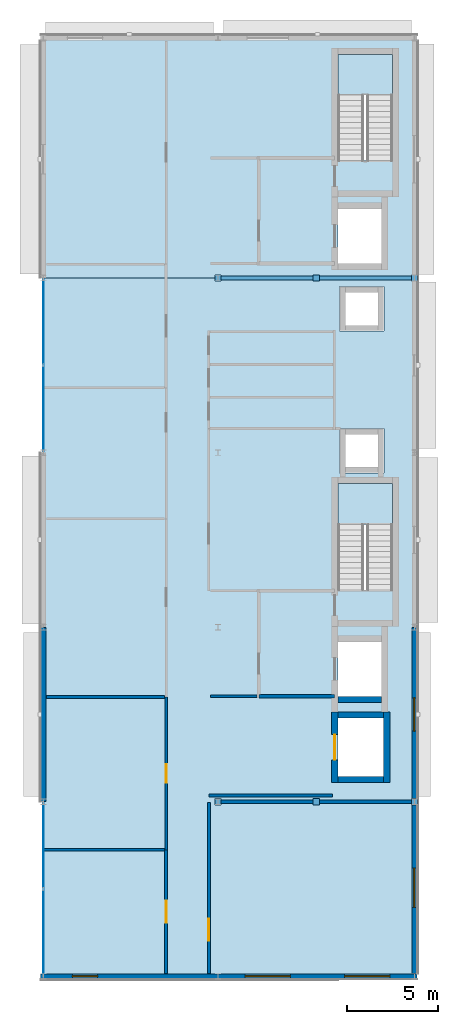
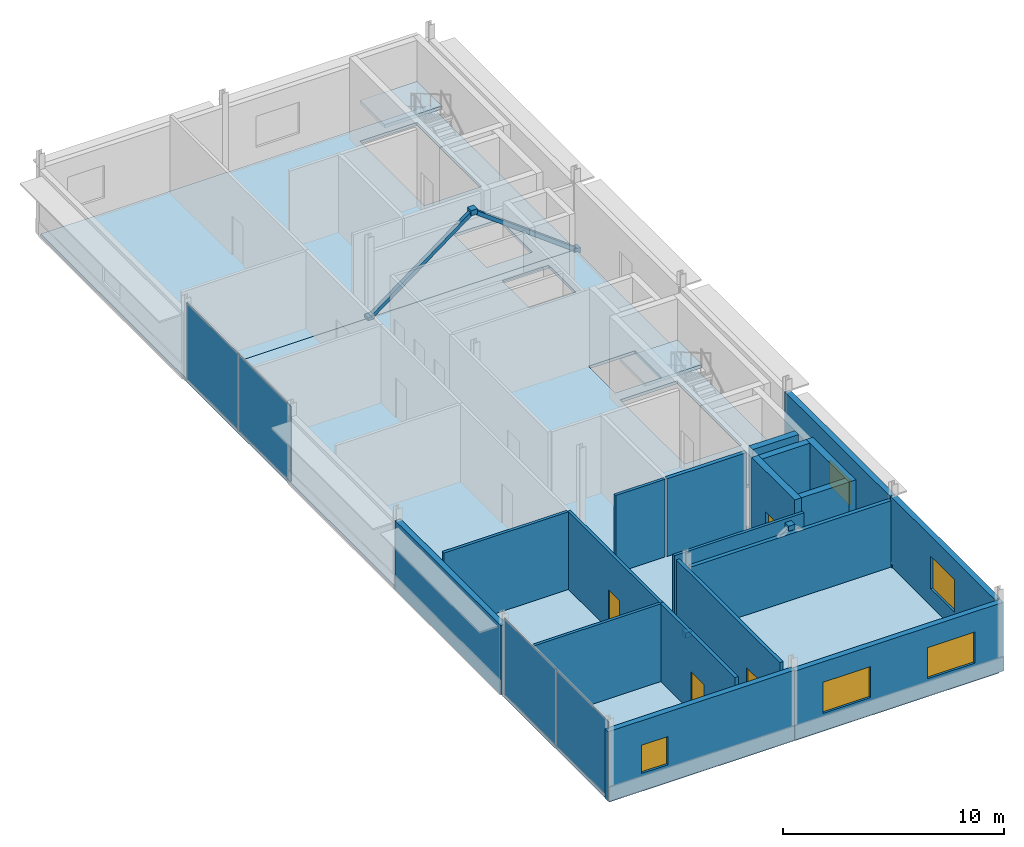
# One storey, part 6 of 10: 19 walls, 10 plates, 5 windows, 4 doors, 4 slabs, 2 members, 9 openings, 4 elements without a shape of their own.
"""IFC4 building model written with IfcOpenShell, lengths in metres."""

from ifc_helpers import new_model, si_unit, direction, frame, frame_2d, origin, origin_2d, place, context, subcontext, project, spatial, polyline, rectangle, hollow_rectangle, outline, extrude, material, layer, layer_set, material_profile, profile_set, type_object, element, fill, aggregate, save


model = new_model("IFC4")

# Units and contexts
model_context = context("Model", 3, precision=1e-05, world=origin(), true_north=direction((0.0, 1.0)))
body_context = subcontext(model_context, "Body", "Model", "MODEL_VIEW")
ifc_project = project(units=[si_unit("LENGTHUNIT", "METRE"), si_unit("AREAUNIT", "SQUARE_METRE"), si_unit("VOLUMEUNIT", "CUBIC_METRE"), si_unit("PLANEANGLEUNIT", "RADIAN"), si_unit("MASSUNIT", "GRAM", prefix="KILO")], contexts=[model_context])

# Site, building, storey
site_placement = place(None, origin())
site = spatial("IfcSite", under=ifc_project, at=site_placement, CompositionType="ELEMENT")
building_placement = place(site_placement, origin())
building = spatial("IfcBuilding", under=site, at=building_placement, Name="Almandine Court Research Institute", CompositionType="ELEMENT")
storey_placement = place(building_placement, frame((0.0, 0.0, 41.64990234375)))
storey = spatial("IfcBuildingStorey", under=building, at=storey_placement, Name="L09", CompositionType="ELEMENT", Elevation=41.64990234375)

# Members
ifc_material_1 = material(Name="Steel ASTM A500 Grade C", Category="steel")
ifc_material_profile = material_profile(ifc_material_1, hollow_rectangle(XDim=0.199951171875, YDim=0.199951171875, WallThickness=0.008056640625, at=origin_2d()), Name="HSS 200x200x8")
ifc_profile_set = profile_set([ifc_material_profile], Name="Steel ASTM A500 Grade C")
member_type = type_object("IfcMemberType", Name="Mem-BF-BR2", PredefinedType="BRACE", material=ifc_profile_set)
for number, where, z_axis, x_axis, name in (
    (1, (163.199951171875, 44.39990234375, 0.02001953125), (0.801428188232, 0.0, 0.598091012394), (0.0, 1.0, 0.0), "L09 Seismic Chevron Brace V4-BF2 Left"),
    (2, (174.0, 44.39990234375, 0.02001953125), (-0.801415226812, 0.0, 0.598108380007), (0.0, -1.0, 0.0), "L09 Seismic Chevron Brace V4-BF2 Right"),
):
    element("IfcMember", number, at=place(storey_placement, frame(where, z_axis=z_axis, x_axis=x_axis)), inside=storey, type_object=member_type, Name=name, PredefinedType="BRACE", context=body_context, shape_type="SweptSolid", body=[
        extrude(hollow_rectangle(XDim=0.199951171875, YDim=0.199951171875, WallThickness=0.008056640625, at=origin_2d()), origin(), (0.0, 0.0, 1.0), 6.738037109375),
    ])

# Curtain wall, plates
ifc_material_2 = material(Name="Unitised Curtain Wall Framing and Solar Glazing", Category="glass")
curtain_wall_type = type_object("IfcCurtainWallType", Name="CW-CWJ-11", PredefinedType="USERDEFINED", material=ifc_material_2)
curtain_wall_1_placement = place(storey_placement, origin())
curtain_wall_1 = element("IfcCurtainWall", 3, at=curtain_wall_1_placement, inside=storey, type_object=curtain_wall_type, Name="L09 Wet Lab West Courtyard Jali Curtain Wall 1", ObjectType="SOLAR JALI SCREEN", PredefinedType="USERDEFINED")
ifc_material_3 = material(Name="Perforated Ochre Terracotta Jali Solar Cassette", Category="masonry")
ifc_layer_1 = layer(ifc_material_3, 0.035888671875)
ifc_layer_set_1 = layer_set([ifc_layer_1], Name="Perforated Ochre Terracotta Jali Solar Cassette")
plate_type_1 = type_object("IfcPlateType", Name="CWPnl-JALI-36", PredefinedType="CURTAIN_PANEL", material=ifc_layer_set_1)
plate_1_placement = place(storey_placement, frame((153.60009765625, 8.418212890625, 0.06494140625), z_axis=(0.0, 0.0, 1.0), x_axis=(0.0, 1.0, 0.0)))
plate_1 = element("IfcPlate", 4, at=plate_1_placement, type_object=plate_type_1, Name="CWJ-11 panel 1.1", PredefinedType="CURTAIN_PANEL", context=body_context, shape_type="SweptSolid", body=[
    extrude(rectangle(XDim=4.698486328125, YDim=0.035888671875, at=origin_2d()), origin(), (0.0, 0.0, 1.0), 4.179931640625),
])
plate_2_placement = place(storey_placement, frame((153.60009765625, 13.181640625, 0.06494140625), z_axis=(0.0, 0.0, 1.0), x_axis=(0.0, 1.0, 0.0)))
plate_2 = element("IfcPlate", 5, at=plate_2_placement, type_object=plate_type_1, Name="CWJ-11 panel 2.1", PredefinedType="CURTAIN_PANEL", context=body_context, shape_type="SweptSolid", body=[
    extrude(rectangle(XDim=4.698486328125, YDim=0.035888671875, at=origin_2d()), origin(), (0.0, 0.0, 1.0), 4.179931640625),
])
aggregate(curtain_wall_1, [plate_1, plate_2])

curtain_wall_2_placement = place(storey_placement, origin())
curtain_wall_2 = element("IfcCurtainWall", 6, at=curtain_wall_2_placement, inside=storey, type_object=curtain_wall_type, Name="L09 Wet Lab West Courtyard Jali Curtain Wall 4", ObjectType="SOLAR JALI SCREEN", PredefinedType="USERDEFINED")
plate_3_placement = place(storey_placement, frame((153.60009765625, 37.21826171875, 0.06494140625), z_axis=(0.0, 0.0, 1.0), x_axis=(0.0, 1.0, 0.0)))
plate_3 = element("IfcPlate", 7, at=plate_3_placement, type_object=plate_type_1, Name="CWJ-11 panel 1.1", PredefinedType="CURTAIN_PANEL", context=body_context, shape_type="SweptSolid", body=[
    extrude(rectangle(XDim=4.698486328125, YDim=0.035888671875, at=origin_2d()), origin(), (0.0, 0.0, 1.0), 4.179931640625),
])
plate_4_placement = place(storey_placement, frame((153.60009765625, 41.981689453125, 0.06494140625), z_axis=(0.0, 0.0, 1.0), x_axis=(0.0, 1.0, 0.0)))
plate_4 = element("IfcPlate", 8, at=plate_4_placement, type_object=plate_type_1, Name="CWJ-11 panel 2.1", PredefinedType="CURTAIN_PANEL", context=body_context, shape_type="SweptSolid", body=[
    extrude(rectangle(XDim=4.698486328125, YDim=0.035888671875, at=origin_2d()), origin(), (0.0, 0.0, 1.0), 4.179931640625),
])
aggregate(curtain_wall_2, [plate_3, plate_4])

# Plates
ifc_material_4 = material(Name="Steel ASTM A36", Category="steel")
ifc_layer_2 = layer(ifc_material_4, 0.280029296875)
ifc_layer_set_2 = layer_set([ifc_layer_2], Name="Steel ASTM A36")
plate_type_2 = type_object("IfcPlateType", Name="Plate-NPI-03", PredefinedType="SHEET", material=ifc_layer_set_2)
for number, where, z_axis, x_axis, name in (
    (9, (163.199951171875, 15.60009765625, -0.1201171875), (0.0, 0.0, 1.0), (1.0, 0.0, 0.0), "L09 Seismic Brace Gusset Cap Plate V4-BF1-BL"),
    (10, (174.0, 15.60009765625, -0.1201171875), (0.0, 0.0, 1.0), (1.0, 0.0, 0.0), "L09 Seismic Brace Gusset Cap Plate V4-BF1-BR"),
    (11, (168.60009765625, 15.60009765625, 3.91015625), (0.0, 0.0, 1.0), (1.0, 0.0, 0.0), "L09 Seismic Brace Gusset Cap Plate V4-BF1-AP"),
    (12, (163.199951171875, 44.39990234375, -0.1201171875), (0.0, 0.0, 1.0), (1.0, 0.0, 0.0), "L09 Seismic Brace Gusset Cap Plate V4-BF2-BL"),
    (13, (174.0, 44.39990234375, -0.1201171875), (0.0, 0.0, 1.0), (1.0, 0.0, 0.0), "L09 Seismic Brace Gusset Cap Plate V4-BF2-BR"),
    (14, (168.60009765625, 44.39990234375, 3.91015625), (0.0, 0.0, 1.0), (1.0, 0.0, 0.0), "L09 Seismic Brace Gusset Cap Plate V4-BF2-AP"),
):
    element("IfcPlate", number, at=place(storey_placement, frame(where, z_axis=z_axis, x_axis=x_axis)), inside=storey, type_object=plate_type_2, Name=name, PredefinedType="SHEET", context=body_context, shape_type="SweptSolid", body=[
        extrude(rectangle(XDim=0.340087890625, YDim=0.340087890625, at=origin_2d()), origin(), (0.0, 0.0, 1.0), 0.280029296875),
    ])

# Slabs
ifc_material_5 = material(Name="Concrete C35/45", Category="concrete")
ifc_layer_3 = layer(ifc_material_5, 0.1650390625)
ifc_layer_set_3 = layer_set([ifc_layer_3], Name="Concrete C35/45")
slab_type_1 = type_object("IfcSlabType", Name="Slab-FLR-165", PredefinedType="FLOOR", material=ifc_layer_set_3)
slab_1_placement = place(storey_placement, frame((0.0, 0.0, -0.164794921875)))
element("IfcSlab", 15, at=slab_1_placement, inside=storey, type_object=slab_type_1, Name="L09 Volume 4 Wet Laboratory S Floor Slab", PredefinedType="FLOOR", context=body_context, shape_type="SweptSolid", body=[
    extrude(outline(polyline([(153.60009765625, 6.0), (174.0, 6.0), (174.0, 44.39990234375), (153.60009765625, 44.39990234375), (153.60009765625, 6.0)]), holes=[polyline([(172.800048828125, 27.25), (172.800048828125, 33.10009765625), (169.800048828125, 33.10009765625), (169.800048828125, 27.25), (172.800048828125, 27.25)]), polyline([(169.800048828125, 21.39990234375), (172.199951171875, 21.39990234375), (172.199951171875, 24.39990234375), (169.800048828125, 24.39990234375), (169.800048828125, 21.39990234375)]), polyline([(169.800048828125, 17.0), (172.300048828125, 17.0), (172.300048828125, 20.199951171875), (169.800048828125, 20.199951171875), (169.800048828125, 17.0)]), polyline([(169.8798828125, 33.679931640625), (172.320068359375, 33.679931640625), (172.320068359375, 36.1201171875), (169.8798828125, 36.1201171875), (169.8798828125, 33.679931640625)]), polyline([(169.8798828125, 41.47998046875), (172.320068359375, 41.47998046875), (172.320068359375, 43.919921875), (169.8798828125, 43.919921875), (169.8798828125, 41.47998046875)])]), origin(), (0.0, 0.0, 1.0), 0.164794921875),
])
slab_2_placement = place(storey_placement, frame((0.0, 0.0, -0.164794921875)))
element("IfcSlab", 16, at=slab_2_placement, inside=storey, type_object=slab_type_1, Name="L09 Volume 4 Wet Laboratory N Floor Slab", PredefinedType="FLOOR", context=body_context, shape_type="SweptSolid", body=[
    extrude(outline(polyline([(153.60009765625, 44.39990234375), (174.0, 44.39990234375), (174.0, 57.60009765625), (153.60009765625, 57.60009765625), (153.60009765625, 44.39990234375)]), holes=[polyline([(172.800048828125, 50.85009765625), (172.800048828125, 56.699951171875), (169.800048828125, 56.699951171875), (169.800048828125, 50.85009765625), (172.800048828125, 50.85009765625)]), polyline([(169.800048828125, 45.199951171875), (172.199951171875, 45.199951171875), (172.199951171875, 48.199951171875), (169.800048828125, 48.199951171875), (169.800048828125, 45.199951171875)])]), origin(), (0.0, 0.0, 1.0), 0.164794921875),
])

# Stair, slab
stair_type = type_object("IfcStairType", Name="Stair-Core-26R", PredefinedType="HALF_TURN_STAIR", material=ifc_material_5)
stair_1_placement = place(storey_placement, origin())
stair_1 = element("IfcStair", 17, at=stair_1_placement, inside=storey, type_object=stair_type, Name="L09 Wet Lab South High-Rise Core Stair", PredefinedType="HALF_TURN_STAIR")
ifc_layer_4 = layer(ifc_material_5, 0.179931640625)
ifc_layer_set_4 = layer_set([ifc_layer_4], Name="Concrete C35/45")
slab_type_2 = type_object("IfcSlabType", Name="Slab-Landing-180", PredefinedType="LANDING", material=ifc_layer_set_4)
slab_3_placement = place(storey_placement, frame((0.0, 0.0, 2.09521484375)))
slab_3 = element("IfcSlab", 18, at=slab_3_placement, type_object=slab_type_2, Name="ST-07 landing 1", PredefinedType="LANDING", context=body_context, shape_type="SweptSolid", body=[
    extrude(outline(polyline([(172.800048828125, 30.85009765625), (172.800048828125, 33.10009765625), (169.800048828125, 33.10009765625), (169.800048828125, 30.85009765625), (172.800048828125, 30.85009765625)])), origin(), (0.0, 0.0, 1.0), 0.179931640625),
])
aggregate(stair_1, [slab_3])

stair_2_placement = place(storey_placement, origin())
stair_2 = element("IfcStair", 19, at=stair_2_placement, inside=storey, type_object=stair_type, Name="L09 Wet Lab Central High-Rise Core Stair", PredefinedType="HALF_TURN_STAIR")
slab_4_placement = place(storey_placement, frame((0.0, 0.0, 2.09521484375)))
slab_4 = element("IfcSlab", 20, at=slab_4_placement, type_object=slab_type_2, Name="ST-08 landing 1", PredefinedType="LANDING", context=body_context, shape_type="SweptSolid", body=[
    extrude(outline(polyline([(172.800048828125, 54.449951171875), (172.800048828125, 56.699951171875), (169.800048828125, 56.699951171875), (169.800048828125, 54.449951171875), (172.800048828125, 54.449951171875)])), origin(), (0.0, 0.0, 1.0), 0.179931640625),
])
aggregate(stair_2, [slab_4])

# Wall
ifc_material_6 = material(Name="Insulated Ochre Terracotta Rainscreen Wall", Category="masonry")
ifc_layer_5 = layer(ifc_material_6, 0.2900390625)
ifc_layer_set_5 = layer_set([ifc_layer_5], Name="Insulated Ochre Terracotta Rainscreen Wall")
wall_type_1 = type_object("IfcWallType", Name="Wall-EXT-TERR-290", PredefinedType="SOLIDWALL", material=ifc_layer_set_5)
wall_1_placement = place(storey_placement, frame((153.60009765625, 15.60400390625, 0.0), z_axis=(0.0, 0.0, 1.0), x_axis=(0.0, 1.0, 0.0)))
element("IfcWall", 21, at=wall_1_placement, inside=storey, type_object=wall_type_1, Name="L09 Wet Lab West Facade Wall 2", PredefinedType="SOLIDWALL", context=body_context, shape_type="SweptSolid", body=[
    extrude(rectangle(XDim=9.592041015625, YDim=0.2900390625, at=frame_2d((4.7958984375, 0.0))), origin(), (0.0, 0.0, 1.0), 3.8310546875),
])

# Wall, opening, window
wall_2_placement = place(storey_placement, frame((174.0, 25.196044921875, 0.0), z_axis=(0.0, 0.0, 1.0), x_axis=(0.0, -1.0, 0.0)))
wall_2 = element("IfcWall", 22, at=wall_2_placement, inside=storey, type_object=wall_type_1, Name="L09 Wet Lab East Facade Wall 2", PredefinedType="SOLIDWALL", context=body_context, shape_type="SweptSolid", body=[
    extrude(rectangle(XDim=9.592041015625, YDim=0.2900390625, at=frame_2d((4.7958984375, 0.0))), origin(), (0.0, 0.0, 1.0), 3.822021484375),
])
opening_1_placement = place(wall_2_placement, frame((3.885986328125, 0.0, 0.949951171875)))
opening_1 = element("IfcOpeningElement", 23, at=opening_1_placement, cuts=wall_2, Name="Opening WN-09", PredefinedType="OPENING", context=body_context, shape_type="SweptSolid", body=[
    extrude(rectangle(XDim=1.820068359375, YDim=1.39990234375, at=frame_2d((0.91015625, 0.699951171875))), frame((0.0, 0.155029296875, 0.0), z_axis=(0.0, -1.0, 0.0), x_axis=(1.0, 0.0, 0.0)), (0.0, 0.0, 1.0), 0.31005859375),
])
ifc_material_7 = material(Name="Thermally Broken Low-E Double-Glazed Window", Category="glass")
window_type_1 = type_object("IfcWindowType", Name="Win-WN-09-1820x1400", PartitioningType="SINGLE_PANEL", PredefinedType="WINDOW", material=ifc_material_7)
window_1_placement = place(opening_1_placement, origin())
window_1 = element("IfcWindow", 24, at=window_1_placement, inside=storey, type_object=window_type_1, Name="L09 Modular Recessed Low-E Window 200", OverallHeight=1.39990234375, OverallWidth=1.820068359375, PartitioningType="SINGLE_PANEL", PredefinedType="WINDOW", context=body_context, shape_type="SweptSolid", body=[
    extrude(rectangle(XDim=1.820068359375, YDim=1.39990234375, at=frame_2d((0.91015625, 0.699951171875))), frame((0.0, 0.030029296875, 0.0), z_axis=(0.0, -1.0, 0.0), x_axis=(1.0, 0.0, 0.0)), (0.0, 0.0, 1.0), 0.06005859375),
])
fill(opening_1, window_1)

wall_3_placement = place(storey_placement, frame((174.0, 15.595947265625, 0.0), z_axis=(0.0, 0.0, 1.0), x_axis=(0.0, -1.0, 0.0)))
wall_3 = element("IfcWall", 25, at=wall_3_placement, inside=storey, type_object=wall_type_1, Name="L09 Wet Lab East Facade Wall 1", PredefinedType="SOLIDWALL", context=body_context, shape_type="SweptSolid", body=[
    extrude(rectangle(XDim=9.447021484375, YDim=0.2900390625, at=frame_2d((4.7236328125, 0.0))), origin(), (0.0, 0.0, 1.0), 3.864013671875),
])
opening_2_placement = place(wall_3_placement, frame((3.64794921875, 0.0, 0.949951171875)))
opening_2 = element("IfcOpeningElement", 26, at=opening_2_placement, cuts=wall_3, Name="Opening WN-10", PredefinedType="OPENING", context=body_context, shape_type="SweptSolid", body=[
    extrude(rectangle(XDim=2.14990234375, YDim=1.800048828125, at=frame_2d((1.074951171875, 0.89990234375))), frame((0.0, 0.155029296875, 0.0), z_axis=(0.0, -1.0, 0.0), x_axis=(1.0, 0.0, 0.0)), (0.0, 0.0, 1.0), 0.31005859375),
])
window_type_2 = type_object("IfcWindowType", Name="Win-WN-10-2150x1800", PartitioningType="SINGLE_PANEL", PredefinedType="WINDOW", material=ifc_material_7)
window_2_placement = place(opening_2_placement, origin())
window_2 = element("IfcWindow", 27, at=window_2_placement, inside=storey, type_object=window_type_2, Name="L09 Modular Recessed Low-E Window 201", OverallHeight=1.800048828125, OverallWidth=2.14990234375, PartitioningType="SINGLE_PANEL", PredefinedType="WINDOW", context=body_context, shape_type="SweptSolid", body=[
    extrude(rectangle(XDim=2.14990234375, YDim=1.800048828125, at=frame_2d((1.074951171875, 0.89990234375))), frame((0.0, 0.030029296875, 0.0), z_axis=(0.0, -1.0, 0.0), x_axis=(1.0, 0.0, 0.0)), (0.0, 0.0, 1.0), 0.06005859375),
])
fill(opening_2, window_2)

# Wall, openings, windows
wall_4_placement = place(storey_placement, frame((174.14501953125, 6.0, 0.0), z_axis=(0.0, 0.0, 1.0), x_axis=(-1.0, 0.0, 0.0)))
wall_4 = element("IfcWall", 28, at=wall_4_placement, inside=storey, type_object=wall_type_1, Name="L09 Wet Lab South Wall 1", PredefinedType="SOLIDWALL", context=body_context, shape_type="SweptSolid", body=[
    extrude(rectangle(XDim=10.94091796875, YDim=0.2900390625, at=frame_2d((5.470458984375, 0.0))), origin(), (0.0, 0.0, 1.0), 3.795166015625),
])
opening_3_placement = place(wall_4_placement, frame((1.4951171875, 0.0, 0.949951171875)))
opening_3 = element("IfcOpeningElement", 29, at=opening_3_placement, cuts=wall_4, Name="Opening WN-74", PredefinedType="OPENING", context=body_context, shape_type="SweptSolid", body=[
    extrude(rectangle(XDim=2.47998046875, YDim=1.719970703125, at=frame_2d((1.239990234375, 0.85986328125))), frame((0.0, 0.155029296875, 0.0), z_axis=(0.0, -1.0, 0.0), x_axis=(1.0, 0.0, 0.0)), (0.0, 0.0, 1.0), 0.31005859375),
])
opening_4_placement = place(wall_4_placement, frame((6.966064453125, 0.0, 0.949951171875)))
opening_4 = element("IfcOpeningElement", 30, at=opening_4_placement, cuts=wall_4, Name="Opening WN-74", PredefinedType="OPENING", context=body_context, shape_type="SweptSolid", body=[
    extrude(rectangle(XDim=2.47998046875, YDim=1.719970703125, at=frame_2d((1.239990234375, 0.85986328125))), frame((0.0, 0.155029296875, 0.0), z_axis=(0.0, -1.0, 0.0), x_axis=(1.0, 0.0, 0.0)), (0.0, 0.0, 1.0), 0.31005859375),
])
window_type_3 = type_object("IfcWindowType", Name="Win-WN-74-2480x1720", PartitioningType="SINGLE_PANEL", PredefinedType="WINDOW", material=ifc_material_7)
window_3_placement = place(opening_3_placement, origin())
window_3 = element("IfcWindow", 31, at=window_3_placement, inside=storey, type_object=window_type_3, Name="L09 Modular Recessed Low-E Window 202", OverallHeight=1.719970703125, OverallWidth=2.47998046875, PartitioningType="SINGLE_PANEL", PredefinedType="WINDOW", context=body_context, shape_type="SweptSolid", body=[
    extrude(rectangle(XDim=2.47998046875, YDim=1.719970703125, at=frame_2d((1.239990234375, 0.85986328125))), frame((0.0, 0.030029296875, 0.0), z_axis=(0.0, -1.0, 0.0), x_axis=(1.0, 0.0, 0.0)), (0.0, 0.0, 1.0), 0.06005859375),
])
fill(opening_3, window_3)
window_4_placement = place(opening_4_placement, origin())
window_4 = element("IfcWindow", 32, at=window_4_placement, inside=storey, type_object=window_type_3, Name="L09 Modular Recessed Low-E Window 203", OverallHeight=1.719970703125, OverallWidth=2.47998046875, PartitioningType="SINGLE_PANEL", PredefinedType="WINDOW", context=body_context, shape_type="SweptSolid", body=[
    extrude(rectangle(XDim=2.47998046875, YDim=1.719970703125, at=frame_2d((1.239990234375, 0.85986328125))), frame((0.0, 0.030029296875, 0.0), z_axis=(0.0, -1.0, 0.0), x_axis=(1.0, 0.0, 0.0)), (0.0, 0.0, 1.0), 0.06005859375),
])
fill(opening_4, window_4)

# Wall, opening, window
wall_5_placement = place(storey_placement, frame((163.196044921875, 6.0, 0.0), z_axis=(0.0, 0.0, 1.0), x_axis=(-1.0, 0.0, 0.0)))
wall_5 = element("IfcWall", 33, at=wall_5_placement, inside=storey, type_object=wall_type_1, Name="L09 Wet Lab South Wall 2", PredefinedType="SOLIDWALL", context=body_context, shape_type="SweptSolid", body=[
    extrude(rectangle(XDim=9.740966796875, YDim=0.2900390625, at=frame_2d((4.87060546875, 0.0))), origin(), (0.0, 0.0, 1.0), 3.864013671875),
])
opening_5_placement = place(wall_5_placement, frame((6.615966796875, 0.0, 0.949951171875)))
opening_5 = element("IfcOpeningElement", 34, at=opening_5_placement, cuts=wall_5, Name="Opening WN-75", PredefinedType="OPENING", context=body_context, shape_type="SweptSolid", body=[
    extrude(rectangle(XDim=1.3798828125, YDim=1.56005859375, at=frame_2d((0.68994140625, 0.780029296875))), frame((0.0, 0.155029296875, 0.0), z_axis=(0.0, -1.0, 0.0), x_axis=(1.0, 0.0, 0.0)), (0.0, 0.0, 1.0), 0.31005859375),
])
window_type_4 = type_object("IfcWindowType", Name="Win-WN-75-1380x1560", PartitioningType="SINGLE_PANEL", PredefinedType="WINDOW", material=ifc_material_7)
window_5_placement = place(opening_5_placement, origin())
window_5 = element("IfcWindow", 35, at=window_5_placement, inside=storey, type_object=window_type_4, Name="L09 Modular Recessed Low-E Window 204", OverallHeight=1.56005859375, OverallWidth=1.3798828125, PartitioningType="SINGLE_PANEL", PredefinedType="WINDOW", context=body_context, shape_type="SweptSolid", body=[
    extrude(rectangle(XDim=1.3798828125, YDim=1.56005859375, at=frame_2d((0.68994140625, 0.780029296875))), frame((0.0, 0.030029296875, 0.0), z_axis=(0.0, -1.0, 0.0), x_axis=(1.0, 0.0, 0.0)), (0.0, 0.0, 1.0), 0.06005859375),
])
fill(opening_5, window_5)

# Wall, opening, door
ifc_material_8 = material(Name="One-Hour Fire-Rated Laboratory Partition")
ifc_layer_6 = layer(ifc_material_8, 0.175048828125)
ifc_layer_set_6 = layer_set([ifc_layer_6], Name="One-Hour Fire-Rated Laboratory Partition")
wall_type_2 = type_object("IfcWallType", Name="Wall-FIRE-175", PredefinedType="PARTITIONING", material=ifc_layer_set_6)
wall_6_placement = place(storey_placement, frame((160.35009765625, 6.159912109375, 0.0), z_axis=(0.0, 0.0, 1.0), x_axis=(0.0, 1.0, 0.0)))
wall_6 = element("IfcWall", 36, at=wall_6_placement, inside=storey, type_object=wall_type_2, Name="L09 Interior Partition W-V4-L09-WW-0", PredefinedType="PARTITIONING", context=body_context, shape_type="SweptSolid", body=[
    extrude(rectangle(XDim=6.800048828125, YDim=0.175048828125, at=frame_2d((3.39990234375, 0.0))), origin(), (0.0, 0.0, 1.0), 4.300048828125),
])
opening_6_placement = place(wall_6_placement, frame((2.800048828125, 0.0, 0.0)))
opening_6 = element("IfcOpeningElement", 37, at=opening_6_placement, cuts=wall_6, Name="Opening FD-LAB", PredefinedType="OPENING", context=body_context, shape_type="SweptSolid", body=[
    extrude(rectangle(XDim=1.199951171875, YDim=2.199951171875, at=frame_2d((0.60009765625, 1.10009765625))), frame((0.0, 0.097412109375, 0.0), z_axis=(0.0, -1.0, 0.0), x_axis=(1.0, 0.0, 0.0)), (0.0, 0.0, 1.0), 0.195068359375),
])
ifc_material_9 = material(Name="Fire-Rated Laboratory Containment Door")
door_type_1 = type_object("IfcDoorType", Name="Door-FD-LAB-1200", OperationType="NOTDEFINED", PredefinedType="DOOR", material=ifc_material_9)
door_1_placement = place(opening_6_placement, origin())
door_1 = element("IfcDoor", 38, at=door_1_placement, inside=storey, type_object=door_type_1, Name="L09 Biosciences BSL-2 Laboratory Door", OperationType="SINGLE_SWING_RIGHT", OverallHeight=2.199951171875, OverallWidth=1.199951171875, PredefinedType="DOOR", context=body_context, shape_type="SweptSolid", body=[
    extrude(rectangle(XDim=1.199951171875, YDim=2.199951171875, at=frame_2d((0.60009765625, 1.10009765625))), frame((0.0, 0.02490234375, 0.0), z_axis=(0.0, -1.0, 0.0), x_axis=(1.0, 0.0, 0.0)), (0.0, 0.0, 1.0), 0.050048828125),
])
fill(opening_6, door_1)

wall_7_placement = place(storey_placement, frame((162.699951171875, 6.159912109375, 0.0), z_axis=(0.0, 0.0, 1.0), x_axis=(0.0, 1.0, 0.0)))
wall_7 = element("IfcWall", 39, at=wall_7_placement, inside=storey, type_object=wall_type_2, Name="L09 Interior Partition W-V4-L09-EW-S", PredefinedType="PARTITIONING", context=body_context, shape_type="SweptSolid", body=[
    extrude(rectangle(XDim=9.39013671875, YDim=0.175048828125, at=frame_2d((4.695068359375, 0.0))), origin(), (0.0, 0.0, 1.0), 4.300048828125),
])
opening_7_placement = place(wall_7_placement, frame((1.800048828125, 0.0, 0.0)))
opening_7 = element("IfcOpeningElement", 40, at=opening_7_placement, cuts=wall_7, Name="Opening FD-LAB", PredefinedType="OPENING", context=body_context, shape_type="SweptSolid", body=[
    extrude(rectangle(XDim=1.199951171875, YDim=2.199951171875, at=frame_2d((0.60009765625, 1.10009765625))), frame((0.0, 0.097412109375, 0.0), z_axis=(0.0, -1.0, 0.0), x_axis=(1.0, 0.0, 0.0)), (0.0, 0.0, 1.0), 0.195068359375),
])
door_2_placement = place(opening_7_placement, origin())
door_2 = element("IfcDoor", 41, at=door_2_placement, inside=storey, type_object=door_type_1, Name="L09 Analytical Lab Door", OperationType="SINGLE_SWING_LEFT", OverallHeight=2.199951171875, OverallWidth=1.199951171875, PredefinedType="DOOR", context=body_context, shape_type="SweptSolid", body=[
    extrude(rectangle(XDim=1.199951171875, YDim=2.199951171875, at=frame_2d((0.60009765625, 1.10009765625))), frame((0.0, 0.02490234375, 0.0), z_axis=(0.0, -1.0, 0.0), x_axis=(1.0, 0.0, 0.0)), (0.0, 0.0, 1.0), 0.050048828125),
])
fill(opening_7, door_2)

# Walls
ifc_material_10 = material(Name="Two-Hour Fire-Barrier Enclosure Wall")
ifc_layer_7 = layer(ifc_material_10, 0.199951171875)
ifc_layer_set_7 = layer_set([ifc_layer_7], Name="Two-Hour Fire-Barrier Enclosure Wall")
wall_type_3 = type_object("IfcWallType", Name="Wall-FIRE-200", PredefinedType="SOLIDWALL", material=ifc_layer_set_7)
wall_8_placement = place(storey_placement, frame((163.360107421875, 15.60009765625, 0.0), z_axis=(0.0, 0.0, 1.0), x_axis=(1.0, 0.0, 0.0)))
element("IfcWall", 42, at=wall_8_placement, inside=storey, type_object=wall_type_3, Name="L09 Interior Partition W-BF-V4-BF1-L09", PredefinedType="SOLIDWALL", context=body_context, shape_type="SweptSolid", body=[
    extrude(rectangle(XDim=10.47998046875, YDim=0.199951171875, at=frame_2d((5.239990234375, 0.0))), origin(), (0.0, 0.0, 1.0), 3.675048828125),
])
wall_9_placement = place(storey_placement, frame((165.449951171875, 21.39990234375, 0.0), z_axis=(0.0, 0.0, 1.0), x_axis=(1.0, 0.0, 0.0)))
element("IfcWall", 43, at=wall_9_placement, inside=storey, type_object=wall_type_3, Name="L09 Interior Partition W-FFL1-L09-S", PredefinedType="SOLIDWALL", context=body_context, shape_type="SweptSolid", body=[
    extrude(rectangle(XDim=4.150146484375, YDim=0.199951171875, at=frame_2d((2.0751953125, 0.0))), origin(), (0.0, 0.0, 1.0), 4.300048828125),
])
ifc_material_11 = material(Name="Acoustic Steel-Stud Gypsum Partition Wall", Category="steel")
ifc_layer_8 = layer(ifc_material_11, 0.14990234375)
ifc_layer_set_8 = layer_set([ifc_layer_8], Name="Acoustic Steel-Stud Gypsum Partition Wall")
wall_type_4 = type_object("IfcWallType", Name="Wall-PART-150", PredefinedType="PARTITIONING", material=ifc_layer_set_8)
wall_10_placement = place(storey_placement, frame((153.659912109375, 12.9599609375, 0.0), z_axis=(0.0, 0.0, 1.0), x_axis=(1.0, 0.0, 0.0)))
element("IfcWall", 44, at=wall_10_placement, inside=storey, type_object=wall_type_4, Name="L09 Interior Partition W-V4-L09-WDIV-0", PredefinedType="PARTITIONING", context=body_context, shape_type="SweptSolid", body=[
    extrude(rectangle(XDim=6.610107421875, YDim=0.14990234375, at=frame_2d((3.30517578125, 0.0))), origin(), (0.0, 0.0, 1.0), 4.300048828125),
])

# Wall, opening, door
wall_11_placement = place(storey_placement, frame((160.35009765625, 12.9599609375, 0.0), z_axis=(0.0, 0.0, 1.0), x_axis=(0.0, 1.0, 0.0)))
wall_11 = element("IfcWall", 45, at=wall_11_placement, inside=storey, type_object=wall_type_4, Name="L09 Interior Partition W-V4-L09-WW-1", PredefinedType="PARTITIONING", context=body_context, shape_type="SweptSolid", body=[
    extrude(rectangle(XDim=8.400146484375, YDim=0.14990234375, at=frame_2d((4.2001953125, 0.0))), origin(), (0.0, 0.0, 1.0), 4.300048828125),
])
opening_8_placement = place(wall_11_placement, frame((3.699951171875, 0.0, 0.0)))
opening_8 = element("IfcOpeningElement", 46, at=opening_8_placement, cuts=wall_11, Name="Opening D-02", PredefinedType="OPENING", context=body_context, shape_type="SweptSolid", body=[
    extrude(rectangle(XDim=1.0, YDim=2.199951171875, at=frame_2d((0.5, 1.10009765625))), frame((0.0, 0.0849609375, 0.0), z_axis=(0.0, -1.0, 0.0), x_axis=(1.0, 0.0, 0.0)), (0.0, 0.0, 1.0), 0.169921875),
])
ifc_material_12 = material(Name="Solid-Core Timber Researcher Office Door", Category="wood")
door_type_2 = type_object("IfcDoorType", Name="Door-INT-1000", OperationType="NOTDEFINED", PredefinedType="DOOR", material=ifc_material_12)
door_3_placement = place(opening_8_placement, origin())
door_3 = element("IfcDoor", 47, at=door_3_placement, inside=storey, type_object=door_type_2, Name="L09 Seminar Room Door", OperationType="SINGLE_SWING_LEFT", OverallHeight=2.199951171875, OverallWidth=1.0, PredefinedType="DOOR", context=body_context, shape_type="SweptSolid", body=[
    extrude(rectangle(XDim=1.0, YDim=2.199951171875, at=frame_2d((0.5, 1.10009765625))), frame((0.0, 0.02490234375, 0.0), z_axis=(0.0, -1.0, 0.0), x_axis=(1.0, 0.0, 0.0)), (0.0, 0.0, 1.0), 0.050048828125),
])
fill(opening_8, door_3)

# Walls
wall_12_placement = place(storey_placement, frame((153.760009765625, 21.360107421875, 0.0), z_axis=(0.0, 0.0, 1.0), x_axis=(1.0, 0.0, 0.0)))
element("IfcWall", 48, at=wall_12_placement, inside=storey, type_object=wall_type_4, Name="L09 Interior Partition W-V4-L09-WDIV-1", PredefinedType="PARTITIONING", context=body_context, shape_type="SweptSolid", body=[
    extrude(rectangle(XDim=6.510009765625, YDim=0.14990234375, at=frame_2d((3.2548828125, 0.0))), origin(), (0.0, 0.0, 1.0), 4.300048828125),
])
wall_13_placement = place(storey_placement, frame((162.780029296875, 21.39990234375, 0.0), z_axis=(0.0, 0.0, 1.0), x_axis=(1.0, 0.0, 0.0)))
element("IfcWall", 49, at=wall_13_placement, inside=storey, type_object=wall_type_4, Name="L09 Interior Partition W-V4-L09-FFL1-CS", PredefinedType="PARTITIONING", context=body_context, shape_type="SweptSolid", body=[
    extrude(rectangle(XDim=2.570068359375, YDim=0.14990234375, at=frame_2d((1.28515625, 0.0))), origin(), (0.0, 0.0, 1.0), 4.300048828125),
])
wall_14_placement = place(storey_placement, frame((162.699951171875, 15.949951171875, 0.0), z_axis=(0.0, 0.0, 1.0), x_axis=(1.0, 0.0, 0.0)))
element("IfcWall", 50, at=wall_14_placement, inside=storey, type_object=wall_type_4, Name="L09 Interior Partition W-V4-L09-GL1-CS", PredefinedType="PARTITIONING", context=body_context, shape_type="SweptSolid", body=[
    extrude(rectangle(XDim=6.800048828125, YDim=0.14990234375, at=frame_2d((3.39990234375, 0.0))), origin(), (0.0, 0.0, 1.0), 4.300048828125),
])
ifc_material_13 = material(Name="Concrete C40/50", Category="concrete")
ifc_layer_9 = layer(ifc_material_13, 0.35009765625)
ifc_layer_set_9 = layer_set([ifc_layer_9], Name="Concrete C40/50")
wall_type_5 = type_object("IfcWallType", Name="Wall-SW-CORE-350", PredefinedType="SHEAR", material=ifc_layer_set_9)
wall_15_placement = place(storey_placement, frame((172.199951171875, 21.22509765625, 0.0), z_axis=(0.0, 0.0, 1.0), x_axis=(-1.0, 0.0, 0.0)))
element("IfcWall", 51, at=wall_15_placement, inside=storey, type_object=wall_type_5, Name="L09 FL-01 Hoistway S Shear Wall", PredefinedType="SHEAR", context=body_context, shape_type="SweptSolid", body=[
    extrude(rectangle(XDim=2.39990234375, YDim=0.35009765625, at=frame_2d((1.199951171875, 0.0))), origin(), (0.0, 0.0, 1.0), 4.550048828125),
])

# Wall, opening, door
wall_16_placement = place(storey_placement, frame((169.625, 16.64990234375, 0.0), z_axis=(0.0, 0.0, 1.0), x_axis=(0.0, 1.0, 0.0)))
wall_16 = element("IfcWall", 52, at=wall_16_placement, inside=storey, type_object=wall_type_5, Name="L09 GL-01 Hoistway W Shear Wall", PredefinedType="SHEAR", context=body_context, shape_type="SweptSolid", body=[
    extrude(rectangle(XDim=3.900146484375, YDim=0.35009765625, at=frame_2d((1.9501953125, 0.0))), origin(), (0.0, 0.0, 1.0), 4.550048828125),
])
opening_9_placement = place(wall_16_placement, frame((1.25, 0.0, 0.0)))
opening_9 = element("IfcOpeningElement", 53, at=opening_9_placement, cuts=wall_16, Name="Opening LD-03", PredefinedType="OPENING", context=body_context, shape_type="SweptSolid", body=[
    extrude(rectangle(XDim=1.39990234375, YDim=2.300048828125, at=frame_2d((0.699951171875, 1.14990234375))), frame((0.0, 0.18505859375, 0.0), z_axis=(0.0, -1.0, 0.0), x_axis=(1.0, 0.0, 0.0)), (0.0, 0.0, 1.0), 0.3701171875),
])
ifc_material_14 = material(Name="Heavy Goods Lift Landing Sliding Door")
door_type_3 = type_object("IfcDoorType", Name="Door-LD-GOOD-1400", OperationType="SLIDING_TO_LEFT", PredefinedType="USERDEFINED", material=ifc_material_14)
door_4_placement = place(opening_9_placement, origin())
door_4 = element("IfcDoor", 54, at=door_4_placement, inside=storey, type_object=door_type_3, Name="L09 Wet Laboratory Goods Lift GL-01 Sliding Landing Door", ObjectType="LANDING DOOR", OperationType="SLIDING_TO_LEFT", OverallHeight=2.300048828125, OverallWidth=1.39990234375, PredefinedType="USERDEFINED", context=body_context, shape_type="SweptSolid", body=[
    extrude(rectangle(XDim=1.39990234375, YDim=2.300048828125, at=frame_2d((0.699951171875, 1.14990234375))), frame((0.0, 0.02490234375, 0.0), z_axis=(0.0, -1.0, 0.0), x_axis=(1.0, 0.0, 0.0)), (0.0, 0.0, 1.0), 0.050048828125),
])
fill(opening_9, door_4)

# Walls
wall_17_placement = place(storey_placement, frame((169.800048828125, 20.375, 0.0), z_axis=(0.0, 0.0, 1.0), x_axis=(1.0, 0.0, 0.0)))
element("IfcWall", 55, at=wall_17_placement, inside=storey, type_object=wall_type_5, Name="L09 GL-01 Hoistway N Shear Wall", PredefinedType="SHEAR", context=body_context, shape_type="SweptSolid", body=[
    extrude(rectangle(XDim=2.5, YDim=0.35009765625, at=frame_2d((1.25, 0.0))), origin(), (0.0, 0.0, 1.0), 4.550048828125),
])
wall_18_placement = place(storey_placement, frame((172.47509765625, 20.550048828125, 0.0), z_axis=(0.0, 0.0, 1.0), x_axis=(0.0, -1.0, 0.0)))
element("IfcWall", 56, at=wall_18_placement, inside=storey, type_object=wall_type_5, Name="L09 GL-01 Hoistway E Shear Wall", PredefinedType="SHEAR", context=body_context, shape_type="SweptSolid", body=[
    extrude(rectangle(XDim=3.900146484375, YDim=0.35009765625, at=frame_2d((1.9501953125, 0.0))), origin(), (0.0, 0.0, 1.0), 4.550048828125),
])
wall_19_placement = place(storey_placement, frame((172.300048828125, 16.824951171875, 0.0), z_axis=(0.0, 0.0, 1.0), x_axis=(-1.0, 0.0, 0.0)))
element("IfcWall", 57, at=wall_19_placement, inside=storey, type_object=wall_type_5, Name="L09 GL-01 Hoistway S Shear Wall", PredefinedType="SHEAR", context=body_context, shape_type="SweptSolid", body=[
    extrude(rectangle(XDim=2.5, YDim=0.35009765625, at=frame_2d((1.25, 0.0))), origin(), (0.0, 0.0, 1.0), 4.550048828125),
])

save(model, "model.ifc")
